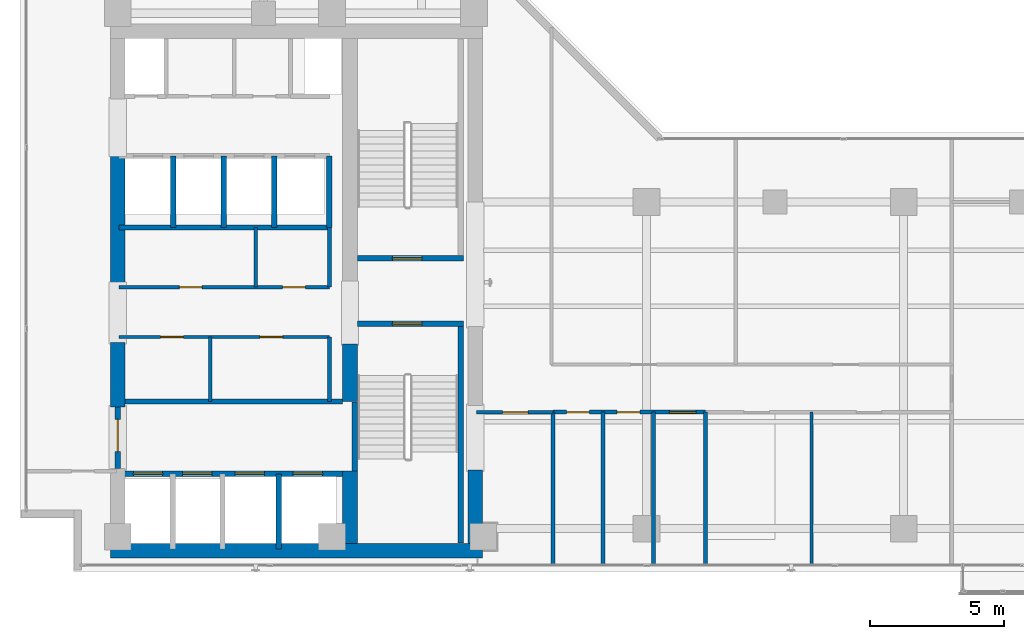
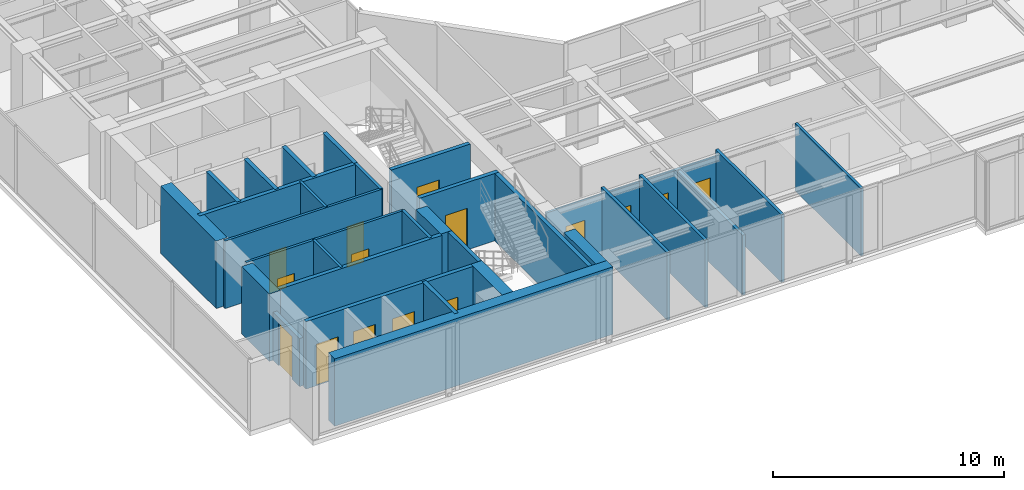
# One storey, part 16 of 23: 32 walls, 15 doors, 15 openings.
"""IFC4 building model written with IfcOpenShell, lengths in metres."""

from ifc_helpers import new_model, si_unit, direction, frame, frame_2d, origin, place, context, subcontext, project, spatial, rectangle, extrude, material, layer, layer_set, type_object, element, fill, save


model = new_model("IFC4")

# Units and contexts
model_context = context("Model", 3, precision=1e-05, world=origin(), true_north=direction((0.0, 1.0)))
body_context = subcontext(model_context, "Body", "Model", "MODEL_VIEW")
ifc_project = project(units=[si_unit("LENGTHUNIT", "METRE"), si_unit("AREAUNIT", "SQUARE_METRE"), si_unit("VOLUMEUNIT", "CUBIC_METRE"), si_unit("PLANEANGLEUNIT", "RADIAN"), si_unit("MASSUNIT", "GRAM", prefix="KILO")], contexts=[model_context])

# Site, building, storey
site_placement = place(None, origin())
site = spatial("IfcSite", under=ifc_project, at=site_placement, CompositionType="ELEMENT")
building_placement = place(site_placement, origin())
building = spatial("IfcBuilding", under=site, at=building_placement, Name="Kolvaren Waterfront Exchange", CompositionType="ELEMENT")
storey_placement = place(building_placement, frame((0.0, 0.0, 242.5)))
storey = spatial("IfcBuildingStorey", under=building, at=storey_placement, Name="L62", CompositionType="ELEMENT", Elevation=242.5)

# Wall, opening, door
ifc_material_1 = material(Name="Precast concrete C40/50", Category="concrete")
ifc_layer_1 = layer(ifc_material_1, 0.199951171875, Name="Precast concrete C40/50")
ifc_layer_set_1 = layer_set([ifc_layer_1], Name="Precast concrete C40/50")
wall_type_1 = type_object("IfcWallType", Name="ARC-FIRE-200", PredefinedType="PARTITIONING", material=ifc_layer_set_1)
wall_1_placement = place(storey_placement, frame((16.39990234375, 12.85009765625, 0.0), z_axis=(0.0, 0.0, 1.0), x_axis=(1.0, 0.0, 0.0)))
wall_1 = element("IfcWall", 1, at=wall_1_placement, inside=storey, type_object=wall_type_1, Name="L62 interior wall PW-L62-ST1-THROAT-S", PredefinedType="PARTITIONING", context=body_context, shape_type="SweptSolid", body=[
    extrude(rectangle(XDim=3.960205078125, YDim=0.199951171875, at=frame_2d((1.97998046875, 0.0))), origin(), (0.0, 0.0, 1.0), 3.56005859375),
])
opening_1_placement = place(wall_1_placement, frame((1.3037109375, 0.0, 0.0)))
opening_1 = element("IfcOpeningElement", 2, at=opening_1_placement, cuts=wall_1, Name="Opening FD2", PredefinedType="OPENING", context=body_context, shape_type="SweptSolid", body=[
    extrude(rectangle(XDim=1.10009765625, YDim=2.199951171875, at=frame_2d((0.550048828125, 1.10009765625))), frame((0.0, 0.10986328125, 0.0), z_axis=(0.0, -1.0, 0.0), x_axis=(1.0, 0.0, 0.0)), (0.0, 0.0, 1.0), 0.219970703125),
])
ifc_material_2 = material(Name="Pressed steel smoke-seal fire door", Category="steel")
door_type_1 = type_object("IfcDoorType", Name="ARC-FD-1100", OperationType="NOTDEFINED", PredefinedType="DOOR", material=ifc_material_2)
door_1_placement = place(opening_1_placement, frame((1.10009765625, 0.0, 0.0), z_axis=(0.0, 0.0, 1.0), x_axis=(-1.0, 0.0, 0.0)))
door_1 = element("IfcDoor", 3, at=door_1_placement, inside=storey, type_object=door_type_1, Name="L62 door DR-L62-ST1-IN (FD2)", OperationType="SINGLE_SWING_LEFT", OverallHeight=2.199951171875, OverallWidth=1.10009765625, PredefinedType="DOOR", context=body_context, shape_type="SweptSolid", body=[
    extrude(rectangle(XDim=1.10009765625, YDim=2.199951171875, at=frame_2d((0.550048828125, 1.10009765625))), frame((0.0, 0.02490234375, 0.0), z_axis=(0.0, -1.0, 0.0), x_axis=(1.0, 0.0, 0.0)), (0.0, 0.0, 1.0), 0.050048828125),
])
fill(opening_1, door_1)

wall_2_placement = place(storey_placement, frame((16.409912109375, 15.300048828125, 0.0), z_axis=(0.0, 0.0, 1.0), x_axis=(1.0, 0.0, 0.0)))
wall_2 = element("IfcWall", 4, at=wall_2_placement, inside=storey, type_object=wall_type_1, Name="L62 interior wall PW-L62-ST2-THROAT-N", PredefinedType="PARTITIONING", context=body_context, shape_type="SweptSolid", body=[
    extrude(rectangle(XDim=3.9501953125, YDim=0.199951171875, at=frame_2d((1.97509765625, 0.0))), origin(), (0.0, 0.0, 1.0), 3.56005859375),
])
opening_2_placement = place(wall_2_placement, frame((1.293701171875, 0.0, 0.0)))
opening_2 = element("IfcOpeningElement", 5, at=opening_2_placement, cuts=wall_2, Name="Opening FD2", PredefinedType="OPENING", context=body_context, shape_type="SweptSolid", body=[
    extrude(rectangle(XDim=1.10009765625, YDim=2.199951171875, at=frame_2d((0.550048828125, 1.10009765625))), frame((0.0, 0.10986328125, 0.0), z_axis=(0.0, -1.0, 0.0), x_axis=(1.0, 0.0, 0.0)), (0.0, 0.0, 1.0), 0.219970703125),
])
door_2_placement = place(opening_2_placement, origin())
door_2 = element("IfcDoor", 6, at=door_2_placement, inside=storey, type_object=door_type_1, Name="L62 door DR-L62-ST2-IN (FD2)", OperationType="SINGLE_SWING_RIGHT", OverallHeight=2.199951171875, OverallWidth=1.10009765625, PredefinedType="DOOR", context=body_context, shape_type="SweptSolid", body=[
    extrude(rectangle(XDim=1.10009765625, YDim=2.199951171875, at=frame_2d((0.550048828125, 1.10009765625))), frame((0.0, 0.02490234375, 0.0), z_axis=(0.0, -1.0, 0.0), x_axis=(1.0, 0.0, 0.0)), (0.0, 0.0, 1.0), 0.050048828125),
])
fill(opening_2, door_2)

# Wall
wall_3_placement = place(storey_placement, frame((7.5, 9.949951171875, 0.0), z_axis=(0.0, 0.0, 1.0), x_axis=(1.0, 0.0, 0.0)))
element("IfcWall", 7, at=wall_3_placement, inside=storey, type_object=wall_type_1, Name="L62 interior wall PW-L62-FF-N", PredefinedType="PARTITIONING", context=body_context, shape_type="SweptSolid", body=[
    extrude(rectangle(XDim=8.35009765625, YDim=0.199951171875, at=frame_2d((4.175048828125, 0.0))), origin(), (0.0, 0.0, 1.0), 3.56005859375),
])

# Wall, opening, door
wall_4_placement = place(storey_placement, frame((7.449951171875, 7.449951171875, 0.0), z_axis=(0.0, 0.0, 1.0), x_axis=(0.0, 1.0, 0.0)))
wall_4 = element("IfcWall", 8, at=wall_4_placement, inside=storey, type_object=wall_type_1, Name="L62 interior wall PW-L62-FF-W-DOOR", PredefinedType="PARTITIONING", context=body_context, shape_type="SweptSolid", body=[
    extrude(rectangle(XDim=2.300048828125, YDim=0.199951171875, at=frame_2d((1.14990234375, 0.0))), origin(), (0.0, 0.0, 1.0), 2.5400390625),
])
opening_3_placement = place(wall_4_placement, frame((0.63330078125, 0.0, 0.0)))
opening_3 = element("IfcOpeningElement", 9, at=opening_3_placement, cuts=wall_4, Name="Opening FD3", PredefinedType="OPENING", context=body_context, shape_type="SweptSolid", body=[
    extrude(rectangle(XDim=1.199951171875, YDim=2.25, at=frame_2d((0.60009765625, 1.125))), frame((0.0, 0.10986328125, 0.0), z_axis=(0.0, -1.0, 0.0), x_axis=(1.0, 0.0, 0.0)), (0.0, 0.0, 1.0), 0.219970703125),
])
ifc_material_3 = material(Name="Pressed steel fire door", Category="steel")
door_type_2 = type_object("IfcDoorType", Name="ARC-FD-1200", OperationType="NOTDEFINED", PredefinedType="DOOR", material=ifc_material_3)
door_3_placement = place(opening_3_placement, frame((1.199951171875, 0.0, 0.0), z_axis=(0.0, 0.0, 1.0), x_axis=(-1.0, 0.0, 0.0)))
door_3 = element("IfcDoor", 10, at=door_3_placement, inside=storey, type_object=door_type_2, Name="L62 door DR-L62-FF-OUT (FD3)", OperationType="SINGLE_SWING_LEFT", OverallHeight=2.25, OverallWidth=1.199951171875, PredefinedType="DOOR", context=body_context, shape_type="SweptSolid", body=[
    extrude(rectangle(XDim=1.199951171875, YDim=2.25, at=frame_2d((0.60009765625, 1.125))), frame((0.0, 0.02490234375, 0.0), z_axis=(0.0, -1.0, 0.0), x_axis=(1.0, 0.0, 0.0)), (0.0, 0.0, 1.0), 0.050048828125),
])
fill(opening_3, door_3)

# Wall, openings, doors
ifc_material_4 = material(Name="Acoustic gypsum steel stud", Category="steel")
ifc_layer_2 = layer(ifc_material_4, 0.125, Name="Acoustic gypsum steel stud")
ifc_layer_set_2 = layer_set([ifc_layer_2], Name="Acoustic gypsum steel stud")
wall_type_2 = type_object("IfcWallType", Name="ARC-PART-125", PredefinedType="PARTITIONING", material=ifc_layer_set_2)
wall_5_placement = place(storey_placement, frame((7.5, 12.360107421875, 0.0), z_axis=(0.0, 0.0, 1.0), x_axis=(1.0, 0.0, 0.0)))
wall_5 = element("IfcWall", 11, at=wall_5_placement, inside=storey, type_object=wall_type_2, Name="L62 interior wall PW-L62-REC-HI-S", PredefinedType="PARTITIONING", context=body_context, shape_type="SweptSolid", body=[
    extrude(rectangle(XDim=7.85009765625, YDim=0.125, at=frame_2d((3.925048828125, 0.0))), origin(), (0.0, 0.0, 1.0), 3.56005859375),
])
opening_4_placement = place(wall_5_placement, frame((1.550048828125, 0.0, 0.0)))
opening_4 = element("IfcOpeningElement", 12, at=opening_4_placement, cuts=wall_5, Name="Opening D01", PredefinedType="OPENING", context=body_context, shape_type="SweptSolid", body=[
    extrude(rectangle(XDim=0.85009765625, YDim=2.14990234375, at=frame_2d((0.425048828125, 1.074951171875))), frame((0.0, 0.072509765625, 0.0), z_axis=(0.0, -1.0, 0.0), x_axis=(1.0, 0.0, 0.0)), (0.0, 0.0, 1.0), 0.14501953125),
])
opening_5_placement = place(wall_5_placement, frame((5.2578125, 0.0, 0.0)))
opening_5 = element("IfcOpeningElement", 13, at=opening_5_placement, cuts=wall_5, Name="Opening D01", PredefinedType="OPENING", context=body_context, shape_type="SweptSolid", body=[
    extrude(rectangle(XDim=0.85009765625, YDim=2.14990234375, at=frame_2d((0.425048828125, 1.074951171875))), frame((0.0, 0.072509765625, 0.0), z_axis=(0.0, -1.0, 0.0), x_axis=(1.0, 0.0, 0.0)), (0.0, 0.0, 1.0), 0.14501953125),
])
ifc_material_5 = material(Name="Oak veneer timber leaf", Category="wood")
door_type_3 = type_object("IfcDoorType", Name="ARC-DR-900", OperationType="NOTDEFINED", PredefinedType="DOOR", material=ifc_material_5)
door_4_placement = place(opening_4_placement, origin())
door_4 = element("IfcDoor", 14, at=door_4_placement, inside=storey, type_object=door_type_3, Name="L62 door DR-L62-REC-HI-D1 (D01)", OperationType="SINGLE_SWING_RIGHT", OverallHeight=2.14990234375, OverallWidth=0.85009765625, PredefinedType="DOOR", context=body_context, shape_type="SweptSolid", body=[
    extrude(rectangle(XDim=0.85009765625, YDim=2.14990234375, at=frame_2d((0.425048828125, 1.074951171875))), frame((0.0, 0.02490234375, 0.0), z_axis=(0.0, -1.0, 0.0), x_axis=(1.0, 0.0, 0.0)), (0.0, 0.0, 1.0), 0.050048828125),
])
fill(opening_4, door_4)
door_5_placement = place(opening_5_placement, origin())
door_5 = element("IfcDoor", 15, at=door_5_placement, inside=storey, type_object=door_type_3, Name="L62 door DR-L62-REC-HI-D2 (D01)", OperationType="SINGLE_SWING_LEFT", OverallHeight=2.14990234375, OverallWidth=0.85009765625, PredefinedType="DOOR", context=body_context, shape_type="SweptSolid", body=[
    extrude(rectangle(XDim=0.85009765625, YDim=2.14990234375, at=frame_2d((0.425048828125, 1.074951171875))), frame((0.0, 0.02490234375, 0.0), z_axis=(0.0, -1.0, 0.0), x_axis=(1.0, 0.0, 0.0)), (0.0, 0.0, 1.0), 0.050048828125),
])
fill(opening_5, door_5)

wall_6_placement = place(storey_placement, frame((7.5, 14.219970703125, 0.0), z_axis=(0.0, 0.0, 1.0), x_axis=(1.0, 0.0, 0.0)))
wall_6 = element("IfcWall", 16, at=wall_6_placement, inside=storey, type_object=wall_type_2, Name="L62 interior wall PW-L62-REC-HI-N", PredefinedType="PARTITIONING", context=body_context, shape_type="SweptSolid", body=[
    extrude(rectangle(XDim=7.85009765625, YDim=0.125, at=frame_2d((3.925048828125, 0.0))), origin(), (0.0, 0.0, 1.0), 3.56005859375),
])
opening_6_placement = place(wall_6_placement, frame((2.25244140625, 0.0, 0.0)))
opening_6 = element("IfcOpeningElement", 17, at=opening_6_placement, cuts=wall_6, Name="Opening D01", PredefinedType="OPENING", context=body_context, shape_type="SweptSolid", body=[
    extrude(rectangle(XDim=0.85009765625, YDim=2.14990234375, at=frame_2d((0.425048828125, 1.074951171875))), frame((0.0, 0.072509765625, 0.0), z_axis=(0.0, -1.0, 0.0), x_axis=(1.0, 0.0, 0.0)), (0.0, 0.0, 1.0), 0.14501953125),
])
opening_7_placement = place(wall_6_placement, frame((6.111328125, 0.0, 0.0)))
opening_7 = element("IfcOpeningElement", 18, at=opening_7_placement, cuts=wall_6, Name="Opening D01", PredefinedType="OPENING", context=body_context, shape_type="SweptSolid", body=[
    extrude(rectangle(XDim=0.85009765625, YDim=2.14990234375, at=frame_2d((0.425048828125, 1.074951171875))), frame((0.0, 0.072509765625, 0.0), z_axis=(0.0, -1.0, 0.0), x_axis=(1.0, 0.0, 0.0)), (0.0, 0.0, 1.0), 0.14501953125),
])
door_6_placement = place(opening_6_placement, origin())
door_6 = element("IfcDoor", 19, at=door_6_placement, inside=storey, type_object=door_type_3, Name="L62 door DR-L62-REC-HI-D3 (D01)", OperationType="SINGLE_SWING_RIGHT", OverallHeight=2.14990234375, OverallWidth=0.85009765625, PredefinedType="DOOR", context=body_context, shape_type="SweptSolid", body=[
    extrude(rectangle(XDim=0.85009765625, YDim=2.14990234375, at=frame_2d((0.425048828125, 1.074951171875))), frame((0.0, 0.02490234375, 0.0), z_axis=(0.0, -1.0, 0.0), x_axis=(1.0, 0.0, 0.0)), (0.0, 0.0, 1.0), 0.050048828125),
])
fill(opening_6, door_6)
door_7_placement = place(opening_7_placement, origin())
door_7 = element("IfcDoor", 20, at=door_7_placement, inside=storey, type_object=door_type_3, Name="L62 door DR-L62-REC-HI-D4 (D01)", OperationType="SINGLE_SWING_LEFT", OverallHeight=2.14990234375, OverallWidth=0.85009765625, PredefinedType="DOOR", context=body_context, shape_type="SweptSolid", body=[
    extrude(rectangle(XDim=0.85009765625, YDim=2.14990234375, at=frame_2d((0.425048828125, 1.074951171875))), frame((0.0, 0.02490234375, 0.0), z_axis=(0.0, -1.0, 0.0), x_axis=(1.0, 0.0, 0.0)), (0.0, 0.0, 1.0), 0.050048828125),
])
fill(opening_7, door_7)

# Walls
wall_7_placement = place(storey_placement, frame((10.89990234375, 9.949951171875, 0.0), z_axis=(0.0, 0.0, 1.0), x_axis=(0.0, 1.0, 0.0)))
element("IfcWall", 21, at=wall_7_placement, inside=storey, type_object=wall_type_2, Name="L62 interior wall PW-L62-REC-HI-MS3", PredefinedType="PARTITIONING", context=body_context, shape_type="SweptSolid", body=[
    extrude(rectangle(XDim=2.41015625, YDim=0.125, at=frame_2d((1.205078125, 0.0))), origin(), (0.0, 0.0, 1.0), 3.56005859375),
])
wall_8_placement = place(storey_placement, frame((12.60009765625, 14.219970703125, 0.0), z_axis=(0.0, 0.0, 1.0), x_axis=(0.0, 1.0, 0.0)))
element("IfcWall", 22, at=wall_8_placement, inside=storey, type_object=wall_type_2, Name="L62 interior wall PW-L62-REC-HI-MN3", PredefinedType="PARTITIONING", context=body_context, shape_type="SweptSolid", body=[
    extrude(rectangle(XDim=2.22998046875, YDim=0.125, at=frame_2d((1.114990234375, 0.0))), origin(), (0.0, 0.0, 1.0), 3.56005859375),
])

# Wall, opening, door
wall_9_placement = place(storey_placement, frame((20.85009765625, 9.550048828125, 0.0), z_axis=(0.0, 0.0, 1.0), x_axis=(1.0, 0.0, 0.0)))
wall_9 = element("IfcWall", 23, at=wall_9_placement, inside=storey, type_object=wall_type_2, Name="L62 interior wall PW-L62-SWST3-N", PredefinedType="PARTITIONING", context=body_context, shape_type="SweptSolid", body=[
    extrude(rectangle(XDim=2.849853515625, YDim=0.125, at=frame_2d((1.4248046875, 0.0))), origin(), (0.0, 0.0, 1.0), 3.199951171875),
])
opening_8_placement = place(wall_9_placement, frame((0.971435546875, 0.0, 0.0)))
opening_8 = element("IfcOpeningElement", 24, at=opening_8_placement, cuts=wall_9, Name="Opening D02", PredefinedType="OPENING", context=body_context, shape_type="SweptSolid", body=[
    extrude(rectangle(XDim=0.949951171875, YDim=2.14990234375, at=frame_2d((0.47509765625, 1.074951171875))), frame((0.0, 0.072509765625, 0.0), z_axis=(0.0, -1.0, 0.0), x_axis=(1.0, 0.0, 0.0)), (0.0, 0.0, 1.0), 0.14501953125),
])
ifc_material_6 = material(Name="Oak veneer acoustic timber", Category="wood")
door_type_4 = type_object("IfcDoorType", Name="ARC-DR-950", OperationType="NOTDEFINED", PredefinedType="DOOR", material=ifc_material_6)
door_8_placement = place(opening_8_placement, origin())
door_8 = element("IfcDoor", 25, at=door_8_placement, inside=storey, type_object=door_type_4, Name="L62 door DR-L62-SWST3-D (D02)", OperationType="SINGLE_SWING_LEFT", OverallHeight=2.14990234375, OverallWidth=0.949951171875, PredefinedType="DOOR", context=body_context, shape_type="SweptSolid", body=[
    extrude(rectangle(XDim=0.949951171875, YDim=2.14990234375, at=frame_2d((0.47509765625, 1.074951171875))), frame((0.0, 0.02490234375, 0.0), z_axis=(0.0, -1.0, 0.0), x_axis=(1.0, 0.0, 0.0)), (0.0, 0.0, 1.0), 0.050048828125),
])
fill(opening_8, door_8)

# Walls
wall_10_placement = place(storey_placement, frame((33.360107421875, 3.840087890625, 0.0), z_axis=(0.0, 0.0, 1.0), x_axis=(0.0, 1.0, 0.0)))
element("IfcWall", 26, at=wall_10_placement, inside=storey, type_object=wall_type_2, Name="L62 interior wall PW-L62-ES-DIV-1", PredefinedType="PARTITIONING", context=body_context, shape_type="SweptSolid", body=[
    extrude(rectangle(XDim=5.7099609375, YDim=0.125, at=frame_2d((2.85498046875, 0.0))), origin(), (0.0, 0.0, 1.0), 3.56005859375),
])
ifc_material_7 = material(Name="Gypsum fireboard steel stud", Category="steel")
ifc_layer_3 = layer(ifc_material_7, 0.14990234375, Name="Gypsum fireboard steel stud")
ifc_layer_set_3 = layer_set([ifc_layer_3], Name="Gypsum fireboard steel stud")
wall_type_3 = type_object("IfcWallType", Name="ARC-PART-150", PredefinedType="PARTITIONING", material=ifc_layer_set_3)
wall_11_placement = place(storey_placement, frame((15.35009765625, 9.949951171875, 0.0), z_axis=(0.0, 0.0, 1.0), x_axis=(0.0, 1.0, 0.0)))
element("IfcWall", 27, at=wall_11_placement, inside=storey, type_object=wall_type_3, Name="L62 interior wall PW-L62-REC-HI-E1", PredefinedType="PARTITIONING", context=body_context, shape_type="SweptSolid", body=[
    extrude(rectangle(XDim=2.41015625, YDim=0.14990234375, at=frame_2d((1.205078125, 0.0))), origin(), (0.0, 0.0, 1.0), 3.56005859375),
])
wall_12_placement = place(storey_placement, frame((15.35009765625, 14.219970703125, 0.0), z_axis=(0.0, 0.0, 1.0), x_axis=(0.0, 1.0, 0.0)))
element("IfcWall", 28, at=wall_12_placement, inside=storey, type_object=wall_type_3, Name="L62 interior wall PW-L62-REC-HI-E2", PredefinedType="PARTITIONING", context=body_context, shape_type="SweptSolid", body=[
    extrude(rectangle(XDim=2.22998046875, YDim=0.14990234375, at=frame_2d((1.114990234375, 0.0))), origin(), (0.0, 0.0, 1.0), 3.56005859375),
])
ifc_material_8 = material(Name="Moisture-resistant gypsum stud")
ifc_layer_4 = layer(ifc_material_8, 0.14990234375, Name="Moisture-resistant gypsum stud")
ifc_layer_set_4 = layer_set([ifc_layer_4], Name="Moisture-resistant gypsum stud")
wall_type_4 = type_object("IfcWallType", Name="ARC-PLUMB-150", PredefinedType="PLUMBINGWALL", material=ifc_layer_set_4)
wall_13_placement = place(storey_placement, frame((23.699951171875, 3.840087890625, 0.0), z_axis=(0.0, 0.0, 1.0), x_axis=(0.0, 1.0, 0.0)))
element("IfcWall", 29, at=wall_13_placement, inside=storey, type_object=wall_type_4, Name="L62 interior wall PW-L62-WC-0", PredefinedType="PLUMBINGWALL", context=body_context, shape_type="SweptSolid", body=[
    extrude(rectangle(XDim=5.7099609375, YDim=0.14990234375, at=frame_2d((2.85498046875, 0.0))), origin(), (0.0, 0.0, 1.0), 3.56005859375),
])

# Wall, openings, doors
wall_14_placement = place(storey_placement, frame((23.699951171875, 9.550048828125, 0.0), z_axis=(0.0, 0.0, 1.0), x_axis=(1.0, 0.0, 0.0)))
wall_14 = element("IfcWall", 30, at=wall_14_placement, inside=storey, type_object=wall_type_4, Name="L62 interior wall PW-L62-WC-N", PredefinedType="PLUMBINGWALL", context=body_context, shape_type="SweptSolid", body=[
    extrude(rectangle(XDim=5.699951171875, YDim=0.14990234375, at=frame_2d((2.85009765625, 0.0))), origin(), (0.0, 0.0, 1.0), 3.199951171875),
])
opening_9_placement = place(wall_14_placement, frame((0.514892578125, 0.0, 0.0)))
opening_9 = element("IfcOpeningElement", 31, at=opening_9_placement, cuts=wall_14, Name="Opening D01", PredefinedType="OPENING", context=body_context, shape_type="SweptSolid", body=[
    extrude(rectangle(XDim=0.85009765625, YDim=2.14990234375, at=frame_2d((0.425048828125, 1.074951171875))), frame((0.0, 0.0849609375, 0.0), z_axis=(0.0, -1.0, 0.0), x_axis=(1.0, 0.0, 0.0)), (0.0, 0.0, 1.0), 0.169921875),
])
opening_10_placement = place(wall_14_placement, frame((2.39501953125, 0.0, 0.0)))
opening_10 = element("IfcOpeningElement", 32, at=opening_10_placement, cuts=wall_14, Name="Opening D01", PredefinedType="OPENING", context=body_context, shape_type="SweptSolid", body=[
    extrude(rectangle(XDim=0.85009765625, YDim=2.14990234375, at=frame_2d((0.425048828125, 1.074951171875))), frame((0.0, 0.0849609375, 0.0), z_axis=(0.0, -1.0, 0.0), x_axis=(1.0, 0.0, 0.0)), (0.0, 0.0, 1.0), 0.169921875),
])
opening_11_placement = place(wall_14_placement, frame((4.35009765625, 0.0, 0.0)))
opening_11 = element("IfcOpeningElement", 33, at=opening_11_placement, cuts=wall_14, Name="Opening D03", PredefinedType="OPENING", context=body_context, shape_type="SweptSolid", body=[
    extrude(rectangle(XDim=1.0, YDim=2.199951171875, at=frame_2d((0.5, 1.10009765625))), frame((0.0, 0.0849609375, 0.0), z_axis=(0.0, -1.0, 0.0), x_axis=(1.0, 0.0, 0.0)), (0.0, 0.0, 1.0), 0.169921875),
])
ifc_material_9 = material(Name="Oak veneer accessible timber", Category="wood")
door_type_5 = type_object("IfcDoorType", Name="ARC-DR-1000", OperationType="NOTDEFINED", PredefinedType="DOOR", material=ifc_material_9)
door_9_placement = place(opening_11_placement, origin())
door_9 = element("IfcDoor", 34, at=door_9_placement, inside=storey, type_object=door_type_5, Name="L62 door DR-L62-WCA-D (D03)", OperationType="SINGLE_SWING_LEFT", OverallHeight=2.199951171875, OverallWidth=1.0, PredefinedType="DOOR", context=body_context, shape_type="SweptSolid", body=[
    extrude(rectangle(XDim=1.0, YDim=2.199951171875, at=frame_2d((0.5, 1.10009765625))), frame((0.0, 0.02490234375, 0.0), z_axis=(0.0, -1.0, 0.0), x_axis=(1.0, 0.0, 0.0)), (0.0, 0.0, 1.0), 0.050048828125),
])
fill(opening_11, door_9)
door_10_placement = place(opening_9_placement, origin())
door_10 = element("IfcDoor", 35, at=door_10_placement, inside=storey, type_object=door_type_3, Name="L62 door DR-L62-WCM-D (D01)", OperationType="SINGLE_SWING_LEFT", OverallHeight=2.14990234375, OverallWidth=0.85009765625, PredefinedType="DOOR", context=body_context, shape_type="SweptSolid", body=[
    extrude(rectangle(XDim=0.85009765625, YDim=2.14990234375, at=frame_2d((0.425048828125, 1.074951171875))), frame((0.0, 0.02490234375, 0.0), z_axis=(0.0, -1.0, 0.0), x_axis=(1.0, 0.0, 0.0)), (0.0, 0.0, 1.0), 0.050048828125),
])
fill(opening_9, door_10)
door_11_placement = place(opening_10_placement, origin())
door_11 = element("IfcDoor", 36, at=door_11_placement, inside=storey, type_object=door_type_3, Name="L62 door DR-L62-WCF-D (D01)", OperationType="SINGLE_SWING_RIGHT", OverallHeight=2.14990234375, OverallWidth=0.85009765625, PredefinedType="DOOR", context=body_context, shape_type="SweptSolid", body=[
    extrude(rectangle(XDim=0.85009765625, YDim=2.14990234375, at=frame_2d((0.425048828125, 1.074951171875))), frame((0.0, 0.02490234375, 0.0), z_axis=(0.0, -1.0, 0.0), x_axis=(1.0, 0.0, 0.0)), (0.0, 0.0, 1.0), 0.050048828125),
])
fill(opening_10, door_11)

# Walls
wall_15_placement = place(storey_placement, frame((25.580078125, 3.840087890625, 0.0), z_axis=(0.0, 0.0, 1.0), x_axis=(0.0, 1.0, 0.0)))
element("IfcWall", 37, at=wall_15_placement, inside=storey, type_object=wall_type_4, Name="L62 interior wall PW-L62-WC-1", PredefinedType="PLUMBINGWALL", context=body_context, shape_type="SweptSolid", body=[
    extrude(rectangle(XDim=5.7099609375, YDim=0.14990234375, at=frame_2d((2.85498046875, 0.0))), origin(), (0.0, 0.0, 1.0), 3.56005859375),
])
wall_16_placement = place(storey_placement, frame((27.4599609375, 3.840087890625, 0.0), z_axis=(0.0, 0.0, 1.0), x_axis=(0.0, 1.0, 0.0)))
element("IfcWall", 38, at=wall_16_placement, inside=storey, type_object=wall_type_4, Name="L62 interior wall PW-L62-WC-2", PredefinedType="PLUMBINGWALL", context=body_context, shape_type="SweptSolid", body=[
    extrude(rectangle(XDim=5.7099609375, YDim=0.14990234375, at=frame_2d((2.85498046875, 0.0))), origin(), (0.0, 0.0, 1.0), 3.159912109375),
])
wall_17_placement = place(storey_placement, frame((29.39990234375, 3.840087890625, 0.0), z_axis=(0.0, 0.0, 1.0), x_axis=(0.0, 1.0, 0.0)))
element("IfcWall", 39, at=wall_17_placement, inside=storey, type_object=wall_type_4, Name="L62 interior wall PW-L62-WC-3", PredefinedType="PLUMBINGWALL", context=body_context, shape_type="SweptSolid", body=[
    extrude(rectangle(XDim=5.7099609375, YDim=0.14990234375, at=frame_2d((2.85498046875, 0.0))), origin(), (0.0, 0.0, 1.0), 3.56005859375),
])
ifc_material_10 = material(Name="Concrete C40/50", Category="concrete")
ifc_layer_5 = layer(ifc_material_10, 0.199951171875, Name="Concrete C40/50")
ifc_layer_set_5 = layer_set([ifc_layer_5], Name="Concrete C40/50")
wall_type_5 = type_object("IfcWallType", Name="ARC-SHAFT-200", PredefinedType="PARTITIONING", material=ifc_layer_set_5)
wall_18_placement = place(storey_placement, frame((16.300048828125, 7.360107421875, 0.0), z_axis=(0.0, 0.0, 1.0), x_axis=(0.0, 1.0, 0.0)))
element("IfcWall", 40, at=wall_18_placement, inside=storey, type_object=wall_type_5, Name="L62 structural stairwell wall PW-L62-ST1-W", PredefinedType="SHEAR", context=body_context, shape_type="SweptSolid", body=[
    extrude(rectangle(XDim=2.579833984375, YDim=0.199951171875, at=frame_2d((1.2900390625, 0.0))), origin(), (0.0, 0.0, 1.0), 3.56005859375),
])
wall_19_placement = place(storey_placement, frame((20.260009765625, 4.659912109375, 0.0), z_axis=(0.0, 0.0, 1.0), x_axis=(0.0, 1.0, 0.0)))
element("IfcWall", 41, at=wall_19_placement, inside=storey, type_object=wall_type_5, Name="L62 structural stairwell wall PW-L62-ST1-E", PredefinedType="SHEAR", context=body_context, shape_type="SweptSolid", body=[
    extrude(rectangle(XDim=8.090087890625, YDim=0.199951171875, at=frame_2d((4.044921875, 0.0))), origin(), (0.0, 0.0, 1.0), 3.56005859375),
])

# Wall, openings, doors
wall_20_placement = place(storey_placement, frame((7.5, 7.25, 0.0), z_axis=(0.0, 0.0, 1.0), x_axis=(1.0, 0.0, 0.0)))
wall_20 = element("IfcWall", 42, at=wall_20_placement, inside=storey, type_object=wall_type_5, Name="L62 interior wall PW-L62-FF-S", PredefinedType="PARTITIONING", context=body_context, shape_type="SweptSolid", body=[
    extrude(rectangle(XDim=8.35009765625, YDim=0.199951171875, at=frame_2d((4.175048828125, 0.0))), origin(), (0.0, 0.0, 1.0), 3.56005859375),
])
opening_12_placement = place(wall_20_placement, frame((0.530029296875, 0.0, 0.0)))
opening_12 = element("IfcOpeningElement", 43, at=opening_12_placement, cuts=wall_20, Name="Opening LD1", PredefinedType="OPENING", context=body_context, shape_type="SweptSolid", body=[
    extrude(rectangle(XDim=1.10009765625, YDim=2.199951171875, at=frame_2d((0.550048828125, 1.10009765625))), frame((0.0, 0.10986328125, 0.0), z_axis=(0.0, -1.0, 0.0), x_axis=(1.0, 0.0, 0.0)), (0.0, 0.0, 1.0), 0.219970703125),
])
opening_13_placement = place(wall_20_placement, frame((2.3701171875, 0.0, 0.0)))
opening_13 = element("IfcOpeningElement", 44, at=opening_13_placement, cuts=wall_20, Name="Opening LD1", PredefinedType="OPENING", context=body_context, shape_type="SweptSolid", body=[
    extrude(rectangle(XDim=1.10009765625, YDim=2.199951171875, at=frame_2d((0.550048828125, 1.10009765625))), frame((0.0, 0.10986328125, 0.0), z_axis=(0.0, -1.0, 0.0), x_axis=(1.0, 0.0, 0.0)), (0.0, 0.0, 1.0), 0.219970703125),
])
opening_14_placement = place(wall_20_placement, frame((4.330078125, 0.0, 0.0)))
opening_14 = element("IfcOpeningElement", 45, at=opening_14_placement, cuts=wall_20, Name="Opening LD1", PredefinedType="OPENING", context=body_context, shape_type="SweptSolid", body=[
    extrude(rectangle(XDim=1.10009765625, YDim=2.199951171875, at=frame_2d((0.550048828125, 1.10009765625))), frame((0.0, 0.10986328125, 0.0), z_axis=(0.0, -1.0, 0.0), x_axis=(1.0, 0.0, 0.0)), (0.0, 0.0, 1.0), 0.219970703125),
])
opening_15_placement = place(wall_20_placement, frame((6.5, 0.0, 0.0)))
opening_15 = element("IfcOpeningElement", 46, at=opening_15_placement, cuts=wall_20, Name="Opening LD1", PredefinedType="OPENING", context=body_context, shape_type="SweptSolid", body=[
    extrude(rectangle(XDim=1.10009765625, YDim=2.199951171875, at=frame_2d((0.550048828125, 1.10009765625))), frame((0.0, 0.10986328125, 0.0), z_axis=(0.0, -1.0, 0.0), x_axis=(1.0, 0.0, 0.0)), (0.0, 0.0, 1.0), 0.219970703125),
])
ifc_material_11 = material(Name="Stainless steel sliding landing door", Category="steel")
door_type_6 = type_object("IfcDoorType", Name="ARC-LD-FF", OperationType="SLIDING_TO_LEFT", PredefinedType="DOOR", material=ifc_material_11)
door_12_placement = place(opening_12_placement, origin())
door_12 = element("IfcDoor", 47, at=door_12_placement, inside=storey, type_object=door_type_6, Name="L62 door LD-L62-FFL1 (LD1)", OperationType="SLIDING_TO_LEFT", OverallHeight=2.199951171875, OverallWidth=1.10009765625, PredefinedType="DOOR", context=body_context, shape_type="SweptSolid", body=[
    extrude(rectangle(XDim=1.10009765625, YDim=2.199951171875, at=frame_2d((0.550048828125, 1.10009765625))), frame((0.0, 0.02490234375, 0.0), z_axis=(0.0, -1.0, 0.0), x_axis=(1.0, 0.0, 0.0)), (0.0, 0.0, 1.0), 0.050048828125),
])
fill(opening_12, door_12)
door_13_placement = place(opening_13_placement, origin())
door_13 = element("IfcDoor", 48, at=door_13_placement, inside=storey, type_object=door_type_6, Name="L62 door LD-L62-FFL2 (LD1)", OperationType="SLIDING_TO_LEFT", OverallHeight=2.199951171875, OverallWidth=1.10009765625, PredefinedType="DOOR", context=body_context, shape_type="SweptSolid", body=[
    extrude(rectangle(XDim=1.10009765625, YDim=2.199951171875, at=frame_2d((0.550048828125, 1.10009765625))), frame((0.0, 0.02490234375, 0.0), z_axis=(0.0, -1.0, 0.0), x_axis=(1.0, 0.0, 0.0)), (0.0, 0.0, 1.0), 0.050048828125),
])
fill(opening_13, door_13)
door_14_placement = place(opening_14_placement, origin())
door_14 = element("IfcDoor", 49, at=door_14_placement, inside=storey, type_object=door_type_6, Name="L62 door LD-L62-GL1 (LD1)", OperationType="SLIDING_TO_LEFT", OverallHeight=2.199951171875, OverallWidth=1.10009765625, PredefinedType="DOOR", context=body_context, shape_type="SweptSolid", body=[
    extrude(rectangle(XDim=1.10009765625, YDim=2.199951171875, at=frame_2d((0.550048828125, 1.10009765625))), frame((0.0, 0.02490234375, 0.0), z_axis=(0.0, -1.0, 0.0), x_axis=(1.0, 0.0, 0.0)), (0.0, 0.0, 1.0), 0.050048828125),
])
fill(opening_14, door_14)
door_15_placement = place(opening_15_placement, origin())
door_15 = element("IfcDoor", 50, at=door_15_placement, inside=storey, type_object=door_type_6, Name="L62 door LD-L62-GL2 (LD1)", OperationType="SLIDING_TO_LEFT", OverallHeight=2.199951171875, OverallWidth=1.10009765625, PredefinedType="DOOR", context=body_context, shape_type="SweptSolid", body=[
    extrude(rectangle(XDim=1.10009765625, YDim=2.199951171875, at=frame_2d((0.550048828125, 1.10009765625))), frame((0.0, 0.02490234375, 0.0), z_axis=(0.0, -1.0, 0.0), x_axis=(1.0, 0.0, 0.0)), (0.0, 0.0, 1.0), 0.050048828125),
])
fill(opening_15, door_15)

# Walls
wall_21_placement = place(storey_placement, frame((13.4599609375, 4.449951171875, 0.0), z_axis=(0.0, 0.0, 1.0), x_axis=(0.0, 1.0, 0.0)))
element("IfcWall", 51, at=wall_21_placement, inside=storey, type_object=wall_type_5, Name="L62 interior wall PW-L62-SH1-DIV-134", PredefinedType="PARTITIONING", context=body_context, shape_type="SweptSolid", body=[
    extrude(rectangle(XDim=2.800048828125, YDim=0.199951171875, at=frame_2d((1.39990234375, 0.0))), origin(), (0.0, 0.0, 1.0), 3.56005859375),
])
wall_22_placement = place(storey_placement, frame((7.5, 16.449951171875, 0.0), z_axis=(0.0, 0.0, 1.0), x_axis=(1.0, 0.0, 0.0)))
element("IfcWall", 52, at=wall_22_placement, inside=storey, type_object=wall_type_5, Name="L62 interior wall PW-L62-REC-PM-N", PredefinedType="PARTITIONING", context=body_context, shape_type="SweptSolid", body=[
    extrude(rectangle(XDim=7.85009765625, YDim=0.199951171875, at=frame_2d((3.925048828125, 0.0))), origin(), (0.0, 0.0, 1.0), 3.56005859375),
])
for number, where, z_axis, x_axis, name in (
    (53, (15.35009765625, 16.449951171875, 0.0), (0.0, 0.0, 1.0), (0.0, 1.0, 0.0), "L62 interior wall PW-L62-PH-E"),
    (54, (9.52001953125, 16.449951171875, 0.0), (0.0, 0.0, 1.0), (0.0, 1.0, 0.0), "L62 interior wall PW-L62-SH4-DIV-95"),
    (55, (11.409912109375, 16.449951171875, 0.0), (0.0, 0.0, 1.0), (0.0, 1.0, 0.0), "L62 interior wall PW-L62-SH4-DIV-114"),
    (56, (13.300048828125, 16.449951171875, 0.0), (0.0, 0.0, 1.0), (0.0, 1.0, 0.0), "L62 interior wall PW-L62-SH4-DIV-133"),
):
    element("IfcWall", number, at=place(storey_placement, frame(where, z_axis=z_axis, x_axis=x_axis)), inside=storey, type_object=wall_type_5, Name=name, PredefinedType="PARTITIONING", context=body_context, shape_type="SweptSolid", body=[
        extrude(rectangle(XDim=2.670166015625, YDim=0.199951171875, at=frame_2d((1.3349609375, 0.0))), origin(), (0.0, 0.0, 1.0), 3.56005859375),
    ])
ifc_material_12 = material(Name="Concrete C50/60", Category="concrete")
ifc_layer_6 = layer(ifc_material_12, 0.550048828125, Name="Concrete C50/60")
ifc_layer_set_6 = layer_set([ifc_layer_6], Name="Concrete C50/60")
wall_type_6 = type_object("IfcWallType", Name="STR-CWALL-550", PredefinedType="SHEAR", material=ifc_layer_set_6)
wall_23_placement = place(storey_placement, frame((7.175048828125, 4.375, 0.0), z_axis=(0.0, 0.0, 1.0), x_axis=(1.0, 0.0, 0.0)))
element("IfcWall", 57, at=wall_23_placement, inside=storey, type_object=wall_type_6, Name="L62 rear-core shear wall S", PredefinedType="SHEAR", context=body_context, shape_type="SweptSolid", body=[
    extrude(rectangle(XDim=13.89990234375, YDim=0.550048828125, at=frame_2d((6.949951171875, 0.0))), origin(), (0.0, 0.0, 1.0), 3.56005859375),
])
wall_24_placement = place(storey_placement, frame((7.449951171875, 9.75, 0.0), z_axis=(0.0, 0.0, 1.0), x_axis=(0.0, 1.0, 0.0)))
element("IfcWall", 58, at=wall_24_placement, inside=storey, type_object=wall_type_6, Name="L62 rear-core shear wall W2A", PredefinedType="SHEAR", context=body_context, shape_type="SweptSolid", body=[
    extrude(rectangle(XDim=2.39990234375, YDim=0.550048828125, at=frame_2d((1.199951171875, 0.0))), origin(), (0.0, 0.0, 1.0), 3.56005859375),
])
wall_25_placement = place(storey_placement, frame((7.449951171875, 14.35009765625, 0.0), z_axis=(0.0, 0.0, 1.0), x_axis=(0.0, 1.0, 0.0)))
element("IfcWall", 59, at=wall_25_placement, inside=storey, type_object=wall_type_6, Name="L62 rear-core shear wall W2B", PredefinedType="SHEAR", context=body_context, shape_type="SweptSolid", body=[
    extrude(rectangle(XDim=4.809814453125, YDim=0.550048828125, at=frame_2d((2.40478515625, 0.0))), origin(), (0.0, 0.0, 1.0), 3.56005859375),
])
wall_26_placement = place(storey_placement, frame((20.800048828125, 4.64990234375, 0.0), z_axis=(0.0, 0.0, 1.0), x_axis=(0.0, 1.0, 0.0)))
element("IfcWall", 60, at=wall_26_placement, inside=storey, type_object=wall_type_6, Name="L62 rear-core shear wall E1", PredefinedType="SHEAR", context=body_context, shape_type="SweptSolid", body=[
    extrude(rectangle(XDim=2.75, YDim=0.550048828125, at=frame_2d((1.375, 0.0))), origin(), (0.0, 0.0, 1.0), 3.56005859375),
])
wall_27_placement = place(storey_placement, frame((16.125, 4.64990234375, 0.0), z_axis=(0.0, 0.0, 1.0), x_axis=(0.0, 1.0, 0.0)))
element("IfcWall", 61, at=wall_27_placement, inside=storey, type_object=wall_type_6, Name="L62 rear-core shear wall M1", PredefinedType="SHEAR", context=body_context, shape_type="SweptSolid", body=[
    extrude(rectangle(XDim=2.7001953125, YDim=0.550048828125, at=frame_2d((1.35009765625, 0.0))), origin(), (0.0, 0.0, 1.0), 3.56005859375),
])
wall_28_placement = place(storey_placement, frame((16.125, 9.949951171875, 0.0), z_axis=(0.0, 0.0, 1.0), x_axis=(0.0, 1.0, 0.0)))
element("IfcWall", 62, at=wall_28_placement, inside=storey, type_object=wall_type_6, Name="L62 rear-core shear wall M2", PredefinedType="SHEAR", context=body_context, shape_type="SweptSolid", body=[
    extrude(rectangle(XDim=2.150146484375, YDim=0.550048828125, at=frame_2d((1.0751953125, 0.0))), origin(), (0.0, 0.0, 1.0), 3.56005859375),
])

save(model, "model.ifc")
